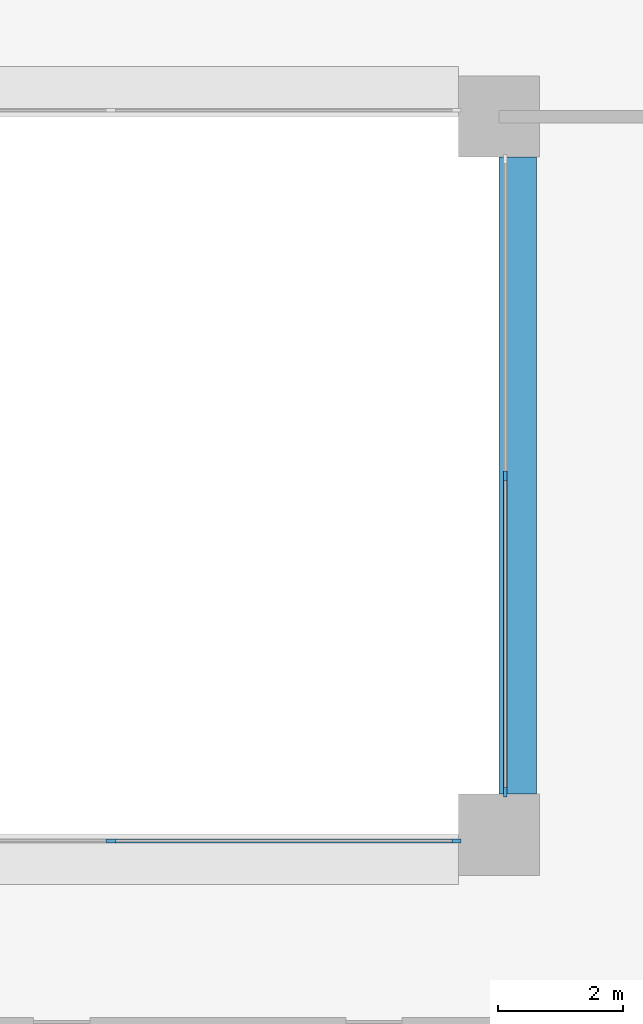
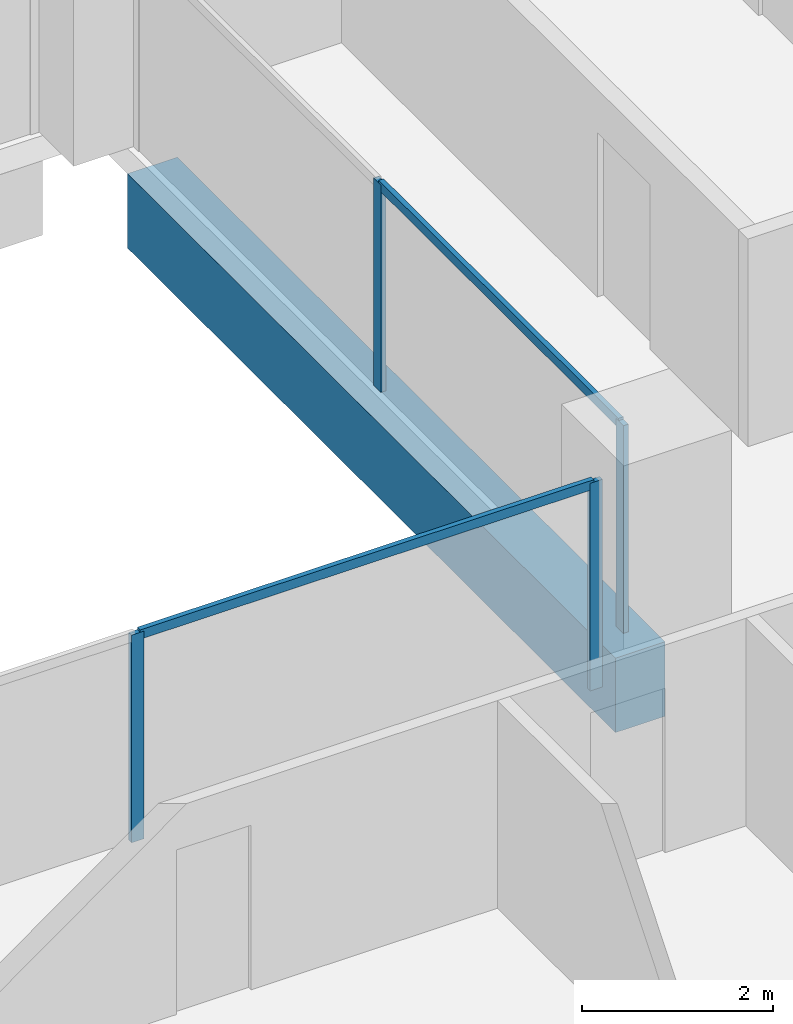
# One storey, part 4 of 17: 6 members, 1 beam, 2 elements without a shape of their own.
"""IFC4 building model written with IfcOpenShell, lengths in metres."""

from ifc_helpers import new_model, si_unit, direction, frame, origin, origin_2d, place, context, subcontext, project, spatial, rectangle, extrude, material, layer, layer_set, material_profile, profile_set, type_object, element, aggregate, save


model = new_model("IFC4")

# Units and contexts
model_context = context("Model", 3, precision=1e-05, world=origin(), true_north=direction((0.0, 1.0)))
body_context = subcontext(model_context, "Body", "Model", "MODEL_VIEW")
ifc_project = project(units=[si_unit("LENGTHUNIT", "METRE"), si_unit("AREAUNIT", "SQUARE_METRE"), si_unit("VOLUMEUNIT", "CUBIC_METRE"), si_unit("PLANEANGLEUNIT", "RADIAN"), si_unit("MASSUNIT", "GRAM", prefix="KILO")], contexts=[model_context])

# Site, building, storey
site_placement = place(None, origin())
site = spatial("IfcSite", under=ifc_project, at=site_placement, CompositionType="ELEMENT")
building_placement = place(site_placement, origin())
building = spatial("IfcBuilding", under=site, at=building_placement, Name="Brigalow Station Residences", CompositionType="ELEMENT")
storey_placement = place(building_placement, frame((0.0, 0.0, 127.64990234375)))
storey = spatial("IfcBuildingStorey", under=building, at=storey_placement, Name="L37", CompositionType="ELEMENT", Elevation=127.64990234375)

# Beam
ifc_material_1 = material(Name="Concrete C65", Category="concrete")
ifc_material_profile_1 = material_profile(ifc_material_1, rectangle(XDim=0.60009765625, YDim=0.949951171875, at=origin_2d()), Name="RC600x950")
ifc_profile_set_1 = profile_set([ifc_material_profile_1], Name="Concrete C65")
beam_type = type_object("IfcBeamType", Name="ATRIUM EDGE GIRDER 600x950 C65", PredefinedType="BEAM", material=ifc_profile_set_1)
beam_placement = place(storey_placement, frame((45.300048828125, 24.64990234375, -0.794921875), z_axis=(0.0, 1.0, 0.0), x_axis=(-1.0, 0.0, 0.0)))
element("IfcBeam", 1, at=beam_placement, inside=storey, type_object=beam_type, Name="ATRIUM EDGE GIRDER 5 L37", PredefinedType="BEAM", context=body_context, shape_type="SweptSolid", body=[
    extrude(rectangle(XDim=0.60009765625, YDim=0.949951171875, at=origin_2d()), origin(), (0.0, 0.0, 1.0), 10.2001953125),
])

# Curtain wall, members
ifc_material_2 = material(Name="Aluminium", Category="aluminium")
ifc_layer = layer(ifc_material_2, 0.14990234375)
ifc_layer_set = layer_set([ifc_layer], Name="ATRIUM FIRE-RATED GLAZING CURTAIN WALL")
curtain_wall_type = type_object("IfcCurtainWallType", Name="ATRIUM FIRE-RATED GLAZING CURTAIN WALL", PredefinedType="NOTDEFINED", material=ifc_layer_set)
curtain_wall_1_placement = place(storey_placement, origin())
curtain_wall_1 = element("IfcCurtainWall", 2, at=curtain_wall_1_placement, inside=storey, type_object=curtain_wall_type, Name="L37/cw/atrium-S", PredefinedType="NOTDEFINED")
ifc_material_3 = material(Name="Aluminium", Category="aluminium")
ifc_material_profile_2 = material_profile(ifc_material_3, rectangle(XDim=0.06005859375, YDim=0.14990234375, at=origin_2d()), Name="ATRIUM FIRE-RATED GLAZING MULLION 60x150")
ifc_profile_set_2 = profile_set([ifc_material_profile_2], Name="Aluminium")
member_type_1 = type_object("IfcMemberType", Name="ATRIUM FIRE-RATED GLAZING MULLION 60x150", PredefinedType="MULLION", material=ifc_profile_set_2)
member_1_placement = place(storey_placement, frame((38.783203125, 23.89990234375, 0.0), z_axis=(0.0, 0.0, 1.0), x_axis=(0.0, 1.0, 0.0)))
member_1 = element("IfcMember", 3, at=member_1_placement, type_object=member_type_1, Name="L37/cw/atrium-S/M02", PredefinedType="MULLION", context=body_context, shape_type="SweptSolid", body=[
    extrude(rectangle(XDim=0.06005859375, YDim=0.14990234375, at=origin_2d()), origin(), (0.0, 0.0, 1.0), 2.650146484375),
])
member_2_placement = place(storey_placement, frame((44.320068359375, 23.89990234375, 0.0), z_axis=(0.0, 0.0, 1.0), x_axis=(0.0, 1.0, 0.0)))
member_2 = element("IfcMember", 4, at=member_2_placement, type_object=member_type_1, Name="L37/cw/atrium-S/M03", PredefinedType="MULLION", context=body_context, shape_type="SweptSolid", body=[
    extrude(rectangle(XDim=0.06005859375, YDim=0.14990234375, at=origin_2d()), origin(), (0.0, 0.0, 1.0), 2.650146484375),
])

curtain_wall_2_placement = place(storey_placement, origin())
curtain_wall_2 = element("IfcCurtainWall", 5, at=curtain_wall_2_placement, inside=storey, type_object=curtain_wall_type, Name="L37/cw/atrium-E", PredefinedType="NOTDEFINED")
member_3_placement = place(storey_placement, frame((45.10009765625, 24.679931640625, 0.0), z_axis=(0.0, 0.0, 1.0), x_axis=(-1.0, 0.0, 0.0)))
member_3 = element("IfcMember", 6, at=member_3_placement, type_object=member_type_1, Name="L37/cw/atrium-E/M00", PredefinedType="MULLION", context=body_context, shape_type="SweptSolid", body=[
    extrude(rectangle(XDim=0.06005859375, YDim=0.14990234375, at=origin_2d()), origin(), (0.0, 0.0, 1.0), 2.650146484375),
])
member_4_placement = place(storey_placement, frame((45.10009765625, 29.75, 0.0), z_axis=(0.0, 0.0, 1.0), x_axis=(-1.0, 0.0, 0.0)))
member_4 = element("IfcMember", 7, at=member_4_placement, type_object=member_type_1, Name="L37/cw/atrium-E/M01", PredefinedType="MULLION", context=body_context, shape_type="SweptSolid", body=[
    extrude(rectangle(XDim=0.06005859375, YDim=0.14990234375, at=origin_2d()), origin(), (0.0, 0.0, 1.0), 2.650146484375),
])

# Member
ifc_material_4 = material(Name="Aluminium", Category="aluminium")
ifc_material_profile_3 = material_profile(ifc_material_4, rectangle(XDim=0.06005859375, YDim=0.1201171875, at=origin_2d()), Name="ATRIUM FIRE-RATED GLAZING TRANSOM 60x120")
ifc_profile_set_3 = profile_set([ifc_material_profile_3], Name="Aluminium")
member_type_2 = type_object("IfcMemberType", Name="ATRIUM FIRE-RATED GLAZING TRANSOM 60x120", PredefinedType="USERDEFINED", material=ifc_profile_set_3)
member_5_placement = place(storey_placement, frame((38.813232421875, 23.89990234375, 2.6201171875), z_axis=(1.0, 0.0, 0.0), x_axis=(0.0, 1.0, 0.0)))
member_5 = element("IfcMember", 8, at=member_5_placement, type_object=member_type_2, Name="L37/cw/atrium-S/T02-00", ObjectType="TRANSOM", PredefinedType="USERDEFINED", context=body_context, shape_type="SweptSolid", body=[
    extrude(rectangle(XDim=0.06005859375, YDim=0.1201171875, at=origin_2d()), origin(), (0.0, 0.0, 1.0), 5.476806640625),
])

aggregate(curtain_wall_1, [member_1, member_2, member_5])

member_6_placement = place(storey_placement, frame((45.10009765625, 24.7099609375, 2.6201171875), z_axis=(0.0, 1.0, 0.0), x_axis=(-1.0, 0.0, 0.0)))
member_6 = element("IfcMember", 9, at=member_6_placement, type_object=member_type_2, Name="L37/cw/atrium-E/T00-00", ObjectType="TRANSOM", PredefinedType="USERDEFINED", context=body_context, shape_type="SweptSolid", body=[
    extrude(rectangle(XDim=0.06005859375, YDim=0.1201171875, at=origin_2d()), origin(), (0.0, 0.0, 1.0), 5.010009765625),
])

aggregate(curtain_wall_2, [member_3, member_4, member_6])

save(model, "model.ifc")
